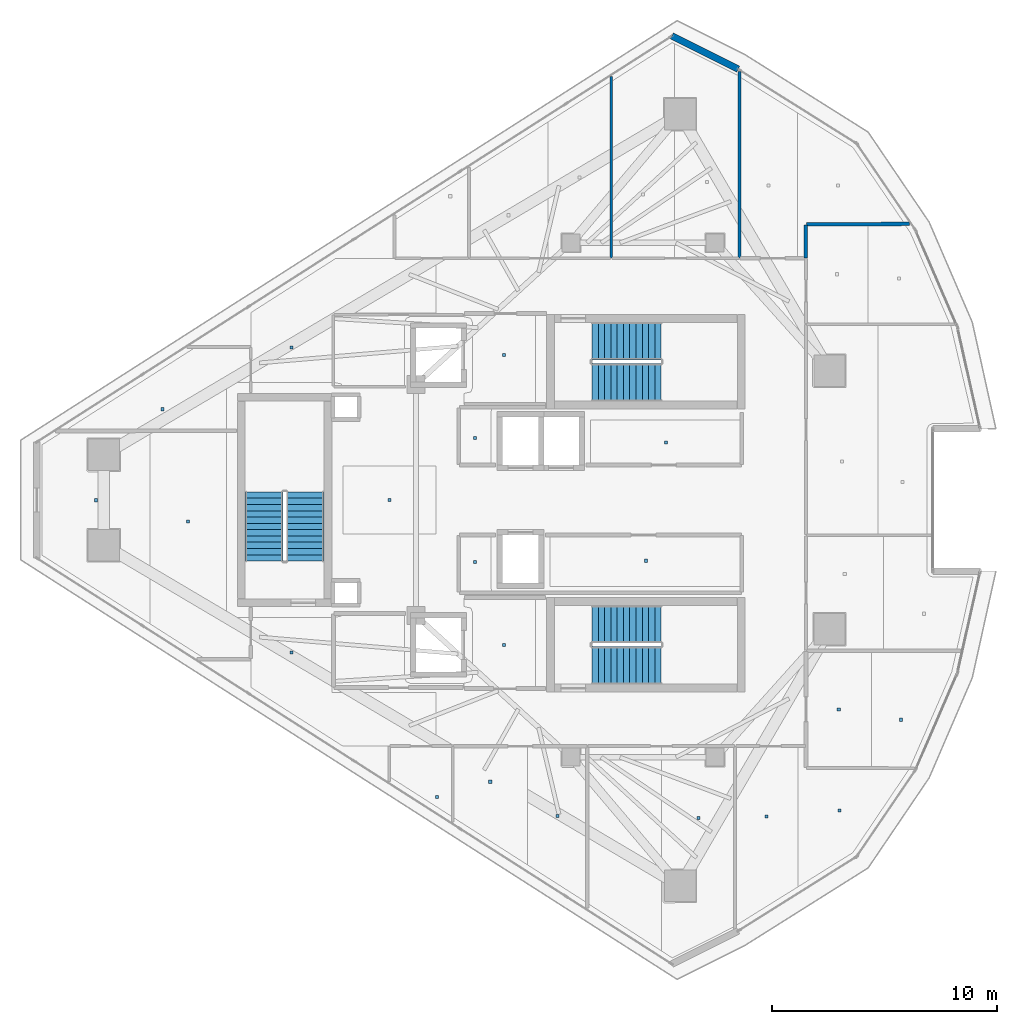
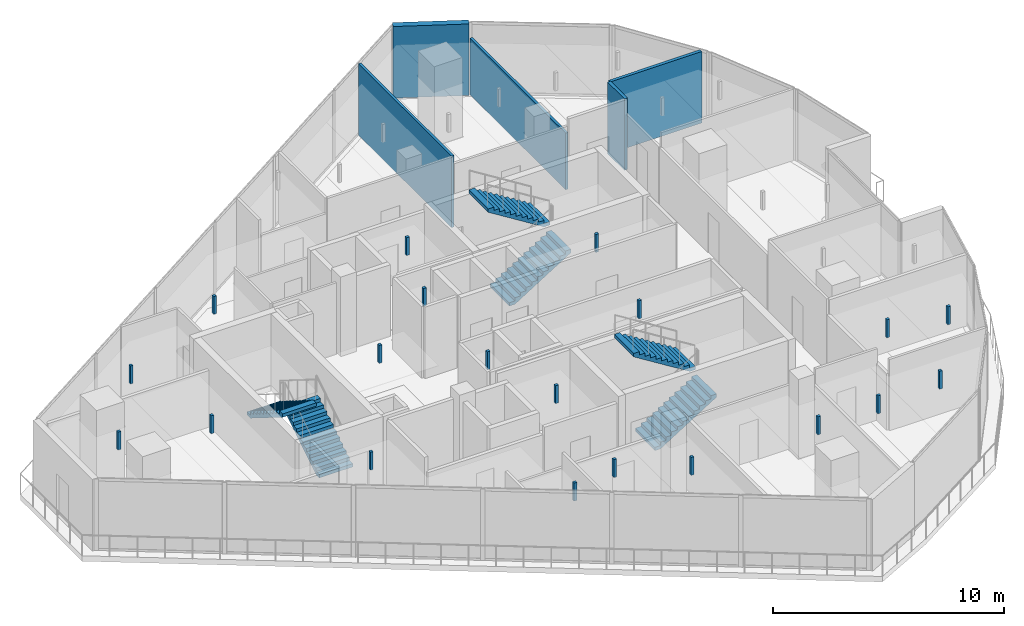
# One storey, part 20 of 26: 20 discrete accessories, 6 stair flights, 5 walls, 3 elements without a shape of their own.
"""IFC4 building model written with IfcOpenShell, lengths in metres."""

from ifc_helpers import new_model, si_unit, direction, frame, frame_2d, origin, origin_2d, place, context, subcontext, project, spatial, polyline, rectangle, outline, extrude, material, layer, layer_set, type_object, element, aggregate, save


model = new_model("IFC4")

# Units and contexts
model_context = context("Model", 3, precision=1e-05, world=origin(), true_north=direction((0.0, 1.0)))
body_context = subcontext(model_context, "Body", "Model", "MODEL_VIEW")
ifc_project = project(units=[si_unit("LENGTHUNIT", "METRE"), si_unit("AREAUNIT", "SQUARE_METRE"), si_unit("VOLUMEUNIT", "CUBIC_METRE"), si_unit("PLANEANGLEUNIT", "RADIAN"), si_unit("MASSUNIT", "GRAM", prefix="KILO")], contexts=[model_context])

# Site, building, storey
site_placement = place(None, origin())
site = spatial("IfcSite", under=ifc_project, at=site_placement, CompositionType="ELEMENT")
building_placement = place(site_placement, origin())
building = spatial("IfcBuilding", under=site, at=building_placement, Name="Qorvath Tower", CompositionType="ELEMENT")
storey_placement = place(building_placement, frame((0.0, 0.0, 322.800048828125)))
storey = spatial("IfcBuildingStorey", under=building, at=storey_placement, Name="L75", CompositionType="ELEMENT", Elevation=322.800048828125)

# Walls
ifc_material_1 = material(Name="Double acoustic gypsum board on steel studs", Category="steel")
ifc_layer_1 = layer(ifc_material_1, 0.159912109375)
ifc_layer_set_1 = layer_set([ifc_layer_1], Name="IW-ACOUSTIC-160")
wall_type_1 = type_object("IfcWallType", Name="IW-ACOUSTIC-160", PredefinedType="PARTITIONING", material=ifc_layer_set_1)
wall_1_placement = place(storey_placement, frame((-13.14990234375, 10.783203125, 0.0), z_axis=(0.0, 0.0, 1.0), x_axis=(0.0, 1.0, 0.0)))
element("IfcWall", 1, at=wall_1_placement, inside=storey, type_object=wall_type_1, Name="Interior Partition IW-T1-L75-029", PredefinedType="PARTITIONING", context=body_context, shape_type="SweptSolid", body=[
    extrude(rectangle(XDim=1.461669921875, YDim=0.159912109375, at=frame_2d((0.73095703125, 0.0))), origin(), (0.0, 0.0, 1.0), 3.780029296875),
])
wall_2_placement = place(storey_placement, frame((-13.125, 12.27001953125, 0.0), z_axis=(0.0, 0.0, 1.0), x_axis=(0.999989768304, 0.004523636525, 0.0)))
element("IfcWall", 2, at=wall_2_placement, inside=storey, type_object=wall_type_1, Name="Interior Partition IW-T1-L75-030", PredefinedType="PARTITIONING", context=body_context, shape_type="SweptSolid", body=[
    extrude(rectangle(XDim=4.58740234375, YDim=0.159912109375, at=frame_2d((2.293701171875, 0.0))), origin(), (0.0, 0.0, 1.0), 3.780029296875),
])
ifc_material_2 = material(Name="Gypsum board on metal studs with mineral wool", Category="gypsum")
ifc_layer_2 = layer(ifc_material_2, 0.125)
ifc_layer_set_2 = layer_set([ifc_layer_2], Name="IW-PART-125")
wall_type_2 = type_object("IfcWallType", Name="IW-PART-125", PredefinedType="PARTITIONING", material=ifc_layer_set_2)
wall_3_placement = place(storey_placement, frame((-21.81298828125, 10.783203125, 0.0), z_axis=(0.0, 0.0, 1.0), x_axis=(-0.000423767253, 0.999999910211, 0.0)))
element("IfcWall", 3, at=wall_3_placement, inside=storey, type_object=wall_type_2, Name="Interior Partition IW-T1-L75-025", PredefinedType="PARTITIONING", context=body_context, shape_type="SweptSolid", body=[
    extrude(rectangle(XDim=8.065673828125, YDim=0.125, at=frame_2d((4.03271484375, 0.0))), origin(), (0.0, 0.0, 1.0), 3.780029296875),
])
wall_4_placement = place(storey_placement, frame((-16.106201171875, 10.783203125, 0.0), z_axis=(0.0, 0.0, 1.0), x_axis=(-0.000324235083, 0.999999947436, 0.0)))
element("IfcWall", 4, at=wall_4_placement, inside=storey, type_object=wall_type_2, Name="Interior Partition IW-T1-L75-027", PredefinedType="PARTITIONING", context=body_context, shape_type="SweptSolid", body=[
    extrude(rectangle(XDim=8.28271484375, YDim=0.125, at=frame_2d((4.141357421875, 0.0))), origin(), (0.0, 0.0, 1.0), 3.0),
])
ifc_material_3 = material(Name="Precast concrete C45/55", Category="concrete")
ifc_layer_3 = layer(ifc_material_3, 0.300048828125)
ifc_layer_set_3 = layer_set([ifc_layer_3], Name="WL-EW-LOG-300")
wall_type_3 = type_object("IfcWallType", Name="WL-EW-LOG-300", PredefinedType="SOLIDWALL", material=ifc_layer_set_3)
wall_5_placement = place(storey_placement, frame((-19.11474609375, 20.65576171875, 0.0), z_axis=(0.0, 0.0, 1.0), x_axis=(0.894427191, -0.4472135955, 0.0)))
element("IfcWall", 5, at=wall_5_placement, inside=storey, type_object=wall_type_3, Name="Tower Precast Loggia Wall L75-15.1", PredefinedType="SOLIDWALL", context=body_context, shape_type="SweptSolid", body=[
    extrude(rectangle(XDim=3.299072265625, YDim=0.300048828125, at=frame_2d((1.6494140625, 0.0))), origin(), (0.0, 0.0, 1.0), 3.780029296875),
])

# Stair, stair flights
ifc_material_4 = material(Name="Concrete C50/60", Category="concrete")
stair_type = type_object("IfcStairType", Name="ST-H420", PredefinedType="HALF_TURN_STAIR", material=ifc_material_4)
stair_1_placement = place(storey_placement, origin())
stair_1 = element("IfcStair", 6, at=stair_1_placement, inside=storey, type_object=stair_type, Name="L75 Tower Exit Stair 1", PredefinedType="HALF_TURN_STAIR")
ifc_material_5 = material(Name="Concrete C50/60", Category="concrete")
ifc_layer_4 = layer(ifc_material_5, 0.14990234375)
ifc_layer_set_4 = layer_set([ifc_layer_4], Name="SF-H420")
stair_flight_type = type_object("IfcStairFlightType", Name="SF-H420", PredefinedType="STRAIGHT", material=ifc_layer_set_4)
stair_flight_1_placement = place(storey_placement, frame((-22.669921875, 5.239990234375, 0.0), z_axis=(0.0, 0.0, 1.0), x_axis=(1.0, 0.0, 0.0)))
stair_flight_1 = element("IfcStairFlight", 7, at=stair_flight_1_placement, type_object=stair_flight_type, Name="TS1 flight 1", NumberOfRisers=12, NumberOfTreads=11, PredefinedType="STRAIGHT", RiserHeight=0.175, TreadLength=0.28, context=body_context, shape_type="SweptSolid", body=[
    extrude(outline(polyline([(0.0, 0.0), (0.0, 0.175048828125), (0.280029296875, 0.175048828125), (0.280029296875, 0.35009765625), (0.56005859375, 0.35009765625), (0.56005859375, 0.52490234375), (0.840087890625, 0.52490234375), (0.840087890625, 0.699951171875), (1.1201171875, 0.699951171875), (1.1201171875, 0.875), (1.39990234375, 0.875), (1.39990234375, 1.050048828125), (1.679931640625, 1.050048828125), (1.679931640625, 1.22509765625), (1.9599609375, 1.22509765625), (1.9599609375, 1.39990234375), (2.239990234375, 1.39990234375), (2.239990234375, 1.574951171875), (2.52001953125, 1.574951171875), (2.52001953125, 1.75), (2.800048828125, 1.75), (2.800048828125, 1.925048828125), (3.080078125, 1.925048828125), (3.080078125, 2.10009765625), (3.080078125, 1.748291015625), (0.28271484375, 0.0), (0.0, 0.0)])), frame((0.0, 0.83984375, 0.0), z_axis=(0.0, -1.0, 0.0), x_axis=(1.0, 0.0, 0.0)), (0.0, 0.0, 1.0), 1.679931640625),
])
stair_flight_2_placement = place(storey_placement, frame((-19.590087890625, 7.070068359375, 2.099853515625), z_axis=(0.0, 0.0, 1.0), x_axis=(-1.0, 0.0, 0.0)))
stair_flight_2 = element("IfcStairFlight", 8, at=stair_flight_2_placement, type_object=stair_flight_type, Name="TS1 flight 2", NumberOfRisers=12, NumberOfTreads=11, PredefinedType="STRAIGHT", RiserHeight=0.175, TreadLength=0.28, context=body_context, shape_type="SweptSolid", body=[
    extrude(outline(polyline([(0.0, 0.0), (0.0, 0.175048828125), (0.280029296875, 0.175048828125), (0.280029296875, 0.35009765625), (0.56005859375, 0.35009765625), (0.56005859375, 0.52490234375), (0.840087890625, 0.52490234375), (0.840087890625, 0.699951171875), (1.1201171875, 0.699951171875), (1.1201171875, 0.875), (1.39990234375, 0.875), (1.39990234375, 1.050048828125), (1.679931640625, 1.050048828125), (1.679931640625, 1.22509765625), (1.9599609375, 1.22509765625), (1.9599609375, 1.39990234375), (2.239990234375, 1.39990234375), (2.239990234375, 1.574951171875), (2.52001953125, 1.574951171875), (2.52001953125, 1.75), (2.800048828125, 1.75), (2.800048828125, 1.925048828125), (3.080078125, 1.925048828125), (3.080078125, 2.10009765625), (3.080078125, 1.748291015625), (0.28271484375, 0.0), (0.0, 0.0)])), frame((0.0, 0.83984375, 0.0), z_axis=(0.0, -1.0, 0.0), x_axis=(1.0, 0.0, 0.0)), (0.0, 0.0, 1.0), 1.679931640625),
])
aggregate(stair_1, [stair_flight_1, stair_flight_2])

stair_2_placement = place(storey_placement, origin())
stair_2 = element("IfcStair", 9, at=stair_2_placement, inside=storey, type_object=stair_type, Name="L75 Tower Exit Stair 2", PredefinedType="HALF_TURN_STAIR")
stair_flight_3_placement = place(storey_placement, frame((-22.669921875, -7.360107421875, 0.0), z_axis=(0.0, 0.0, 1.0), x_axis=(1.0, 0.0, 0.0)))
stair_flight_3 = element("IfcStairFlight", 10, at=stair_flight_3_placement, type_object=stair_flight_type, Name="TS2 flight 1", NumberOfRisers=12, NumberOfTreads=11, PredefinedType="STRAIGHT", RiserHeight=0.175, TreadLength=0.28, context=body_context, shape_type="SweptSolid", body=[
    extrude(outline(polyline([(0.0, 0.0), (0.0, 0.175048828125), (0.280029296875, 0.175048828125), (0.280029296875, 0.35009765625), (0.56005859375, 0.35009765625), (0.56005859375, 0.52490234375), (0.840087890625, 0.52490234375), (0.840087890625, 0.699951171875), (1.1201171875, 0.699951171875), (1.1201171875, 0.875), (1.39990234375, 0.875), (1.39990234375, 1.050048828125), (1.679931640625, 1.050048828125), (1.679931640625, 1.22509765625), (1.9599609375, 1.22509765625), (1.9599609375, 1.39990234375), (2.239990234375, 1.39990234375), (2.239990234375, 1.574951171875), (2.52001953125, 1.574951171875), (2.52001953125, 1.75), (2.800048828125, 1.75), (2.800048828125, 1.925048828125), (3.080078125, 1.925048828125), (3.080078125, 2.10009765625), (3.080078125, 1.748291015625), (0.28271484375, 0.0), (0.0, 0.0)])), frame((0.0, 0.83984375, 0.0), z_axis=(0.0, -1.0, 0.0), x_axis=(1.0, 0.0, 0.0)), (0.0, 0.0, 1.0), 1.679931640625),
])
stair_flight_4_placement = place(storey_placement, frame((-19.590087890625, -5.530029296875, 2.099853515625), z_axis=(0.0, 0.0, 1.0), x_axis=(-1.0, 0.0, 0.0)))
stair_flight_4 = element("IfcStairFlight", 11, at=stair_flight_4_placement, type_object=stair_flight_type, Name="TS2 flight 2", NumberOfRisers=12, NumberOfTreads=11, PredefinedType="STRAIGHT", RiserHeight=0.175, TreadLength=0.28, context=body_context, shape_type="SweptSolid", body=[
    extrude(outline(polyline([(0.0, 0.0), (0.0, 0.175048828125), (0.280029296875, 0.175048828125), (0.280029296875, 0.35009765625), (0.56005859375, 0.35009765625), (0.56005859375, 0.52490234375), (0.840087890625, 0.52490234375), (0.840087890625, 0.699951171875), (1.1201171875, 0.699951171875), (1.1201171875, 0.875), (1.39990234375, 0.875), (1.39990234375, 1.050048828125), (1.679931640625, 1.050048828125), (1.679931640625, 1.22509765625), (1.9599609375, 1.22509765625), (1.9599609375, 1.39990234375), (2.239990234375, 1.39990234375), (2.239990234375, 1.574951171875), (2.52001953125, 1.574951171875), (2.52001953125, 1.75), (2.800048828125, 1.75), (2.800048828125, 1.925048828125), (3.080078125, 1.925048828125), (3.080078125, 2.10009765625), (3.080078125, 1.748291015625), (0.28271484375, 0.0), (0.0, 0.0)])), frame((0.0, 0.83984375, 0.0), z_axis=(0.0, -1.0, 0.0), x_axis=(1.0, 0.0, 0.0)), (0.0, 0.0, 1.0), 1.679931640625),
])
aggregate(stair_2, [stair_flight_3, stair_flight_4])

stair_3_placement = place(storey_placement, origin())
stair_3 = element("IfcStair", 12, at=stair_3_placement, inside=storey, type_object=stair_type, Name="L75 Tower Exit Stair 3", PredefinedType="HALF_TURN_STAIR")
stair_flight_5_placement = place(storey_placement, frame((-35.43994140625, -2.719970703125, 0.0), z_axis=(0.0, 0.0, 1.0), x_axis=(0.0, 1.0, 0.0)))
stair_flight_5 = element("IfcStairFlight", 13, at=stair_flight_5_placement, type_object=stair_flight_type, Name="TS3 flight 1", NumberOfRisers=12, NumberOfTreads=11, PredefinedType="STRAIGHT", RiserHeight=0.175, TreadLength=0.28, context=body_context, shape_type="SweptSolid", body=[
    extrude(outline(polyline([(0.0, 0.0), (0.0, 0.175048828125), (0.280029296875, 0.175048828125), (0.280029296875, 0.35009765625), (0.56005859375, 0.35009765625), (0.56005859375, 0.52490234375), (0.840087890625, 0.52490234375), (0.840087890625, 0.699951171875), (1.1201171875, 0.699951171875), (1.1201171875, 0.875), (1.39990234375, 0.875), (1.39990234375, 1.050048828125), (1.679931640625, 1.050048828125), (1.679931640625, 1.22509765625), (1.9599609375, 1.22509765625), (1.9599609375, 1.39990234375), (2.239990234375, 1.39990234375), (2.239990234375, 1.574951171875), (2.52001953125, 1.574951171875), (2.52001953125, 1.75), (2.800048828125, 1.75), (2.800048828125, 1.925048828125), (3.080078125, 1.925048828125), (3.080078125, 2.10009765625), (3.080078125, 1.748291015625), (0.28271484375, 0.0), (0.0, 0.0)])), frame((0.0, 0.83984375, 0.0), z_axis=(0.0, -1.0, 0.0), x_axis=(1.0, 0.0, 0.0)), (0.0, 0.0, 1.0), 1.679931640625),
])
stair_flight_6_placement = place(storey_placement, frame((-37.27001953125, 0.360107421875, 2.099853515625), z_axis=(0.0, 0.0, 1.0), x_axis=(0.0, -1.0, 0.0)))
stair_flight_6 = element("IfcStairFlight", 14, at=stair_flight_6_placement, type_object=stair_flight_type, Name="TS3 flight 2", NumberOfRisers=12, NumberOfTreads=11, PredefinedType="STRAIGHT", RiserHeight=0.175, TreadLength=0.28, context=body_context, shape_type="SweptSolid", body=[
    extrude(outline(polyline([(0.0, 0.0), (0.0, 0.175048828125), (0.280029296875, 0.175048828125), (0.280029296875, 0.35009765625), (0.56005859375, 0.35009765625), (0.56005859375, 0.52490234375), (0.840087890625, 0.52490234375), (0.840087890625, 0.699951171875), (1.1201171875, 0.699951171875), (1.1201171875, 0.875), (1.39990234375, 0.875), (1.39990234375, 1.050048828125), (1.679931640625, 1.050048828125), (1.679931640625, 1.22509765625), (1.9599609375, 1.22509765625), (1.9599609375, 1.39990234375), (2.239990234375, 1.39990234375), (2.239990234375, 1.574951171875), (2.52001953125, 1.574951171875), (2.52001953125, 1.75), (2.800048828125, 1.75), (2.800048828125, 1.925048828125), (3.080078125, 1.925048828125), (3.080078125, 2.10009765625), (3.080078125, 1.748291015625), (0.28271484375, 0.0), (0.0, 0.0)])), frame((0.0, 0.83984375, 0.0), z_axis=(0.0, -1.0, 0.0), x_axis=(1.0, 0.0, 0.0)), (0.0, 0.0, 1.0), 1.679931640625),
])
aggregate(stair_3, [stair_flight_5, stair_flight_6])

# Discrete accessories
ifc_material_6 = material(Name="Galvanised steel bracket", Category="steel")
discrete_accessory_type = type_object("IfcDiscreteAccessoryType", Name="DA-BRACKET", PredefinedType="BRACKET", material=ifc_material_6)
for number, where, z_axis, x_axis, name in (
    (15, (-26.590087890625, 6.449951171875, 2.85986328125), (0.0, 0.0, 1.0), (1.0, 0.0, 0.0), "Acoustic Ceiling Suspension Hanger T1-L75-001"),
    (16, (-26.590087890625, -6.449951171875, 2.85986328125), (0.0, 0.0, 1.0), (1.0, 0.0, 0.0), "Acoustic Ceiling Suspension Hanger T1-L75-002"),
    (17, (-19.37255859375, 2.5625, 2.85986328125), (0.0, 0.0, 1.0), (1.0, 0.0, 0.0), "Acoustic Ceiling Suspension Hanger T1-L75-003"),
    (18, (-27.87744140625, 2.762451171875, 2.85986328125), (0.0, 0.0, 1.0), (1.0, 0.0, 0.0), "Acoustic Ceiling Suspension Hanger T1-L75-004"),
    (19, (-20.2724609375, -2.70751953125, 2.85986328125), (0.0, 0.0, 1.0), (1.0, 0.0, 0.0), "Acoustic Ceiling Suspension Hanger T1-L75-005"),
    (20, (-27.87744140625, -2.762451171875, 2.85986328125), (0.0, 0.0, 1.0), (1.0, 0.0, 0.0), "Acoustic Ceiling Suspension Hanger T1-L75-006"),
    (21, (-36.040283203125, 6.782470703125, 2.85986328125), (0.0, 0.0, 1.0), (1.0, 0.0, 0.0), "Acoustic Ceiling Suspension Hanger T1-L75-009"),
    (22, (-36.048828125, -6.793212890625, 2.85986328125), (0.0, 0.0, 1.0), (1.0, 0.0, 0.0), "Acoustic Ceiling Suspension Hanger T1-L75-010"),
    (23, (-31.6875, 0.0, 2.85986328125), (0.0, 0.0, 1.0), (1.0, 0.0, 0.0), "Acoustic Ceiling Suspension Hanger T1-L75-011"),
    (24, (-29.576904296875, -13.216064453125, 2.85986328125), (0.0, 0.0, 1.0), (1.0, 0.0, 0.0), "Acoustic Ceiling Suspension Hanger T1-L75-019"),
    (25, (-27.199462890625, -12.545654296875, 2.85986328125), (0.0, 0.0, 1.0), (1.0, 0.0, 0.0), "Acoustic Ceiling Suspension Hanger T1-L75-020"),
    (26, (-24.213134765625, -14.074951171875, 2.85986328125), (0.0, 0.0, 1.0), (1.0, 0.0, 0.0), "Acoustic Ceiling Suspension Hanger T1-L75-021"),
    (27, (-17.9345703125, -14.162841796875, 2.85986328125), (0.0, 0.0, 1.0), (1.0, 0.0, 0.0), "Acoustic Ceiling Suspension Hanger T1-L75-023"),
    (28, (-14.896240234375, -14.0947265625, 2.85986328125), (0.0, 0.0, 1.0), (1.0, 0.0, 0.0), "Acoustic Ceiling Suspension Hanger T1-L75-024"),
    (29, (-11.65087890625, -13.822998046875, 2.85986328125), (0.0, 0.0, 1.0), (1.0, 0.0, 0.0), "Acoustic Ceiling Suspension Hanger T1-L75-025"),
    (30, (-11.685302734375, -9.31982421875, 2.85986328125), (0.0, 0.0, 1.0), (1.0, 0.0, 0.0), "Acoustic Ceiling Suspension Hanger T1-L75-026"),
    (31, (-8.909423828125, -9.78564453125, 2.85986328125), (0.0, 0.0, 1.0), (1.0, 0.0, 0.0), "Acoustic Ceiling Suspension Hanger T1-L75-027"),
    (32, (-44.75, -0.0087890625, 2.85986328125), (0.0, 0.0, 1.0), (1.0, 0.0, 0.0), "Acoustic Ceiling Suspension Hanger T1-L75-034"),
    (33, (-40.649658203125, -0.960693359375, 2.85986328125), (0.0, 0.0, 1.0), (1.0, 0.0, 0.0), "Acoustic Ceiling Suspension Hanger T1-L75-035"),
    (34, (-41.795654296875, 4.038330078125, 2.85986328125), (0.0, 0.0, 1.0), (1.0, 0.0, 0.0), "Acoustic Ceiling Suspension Hanger T1-L75-036"),
):
    element("IfcDiscreteAccessory", number, at=place(storey_placement, frame(where, z_axis=z_axis, x_axis=x_axis)), inside=storey, type_object=discrete_accessory_type, Name=name, PredefinedType="NOTDEFINED", context=body_context, shape_type="SweptSolid", body=[
        extrude(rectangle(XDim=0.139892578125, YDim=0.139892578125, at=origin_2d()), origin(), (0.0, 0.0, 1.0), 0.9501953125),
    ])

save(model, "model.ifc")
